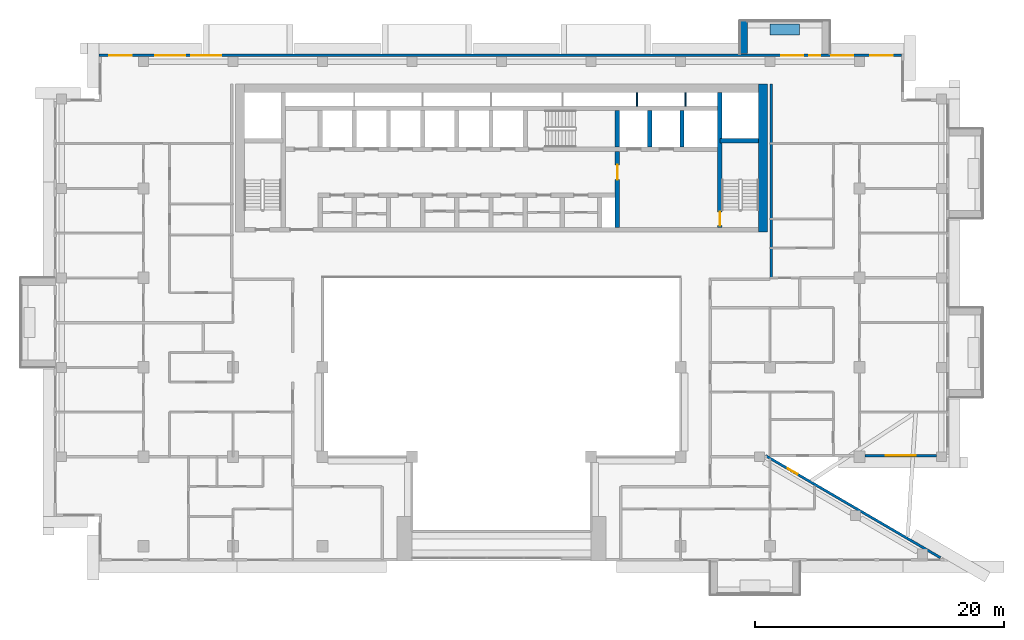
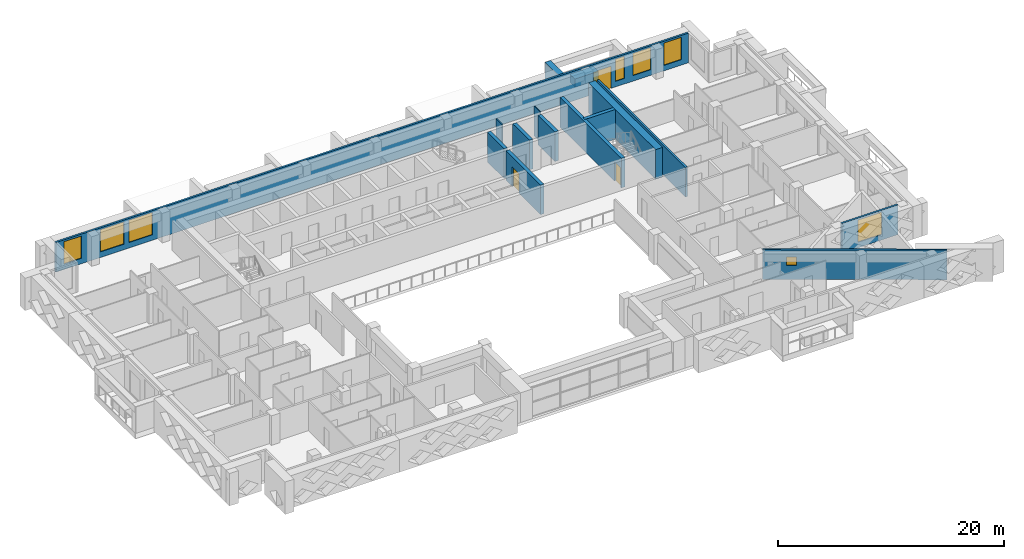
# One storey, part 11 of 20: 15 walls, 8 windows, 3 doors, 11 openings.
"""IFC4 building model written with IfcOpenShell, lengths in metres."""

from ifc_helpers import new_model, si_unit, direction, frame, frame_2d, origin, place, context, subcontext, project, spatial, rectangle, extrude, material, layer, layer_set, type_object, element, fill, save


model = new_model("IFC4")

# Units and contexts
model_context = context("Model", 3, precision=1e-05, world=origin(), true_north=direction((0.0, 1.0)))
body_context = subcontext(model_context, "Body", "Model", "MODEL_VIEW")
ifc_project = project(units=[si_unit("LENGTHUNIT", "METRE"), si_unit("AREAUNIT", "SQUARE_METRE"), si_unit("VOLUMEUNIT", "CUBIC_METRE"), si_unit("PLANEANGLEUNIT", "RADIAN"), si_unit("MASSUNIT", "GRAM", prefix="KILO")], contexts=[model_context])

# Site, building, storey
site_placement = place(None, origin())
site = spatial("IfcSite", under=ifc_project, at=site_placement, CompositionType="ELEMENT")
building_placement = place(site_placement, origin())
building = spatial("IfcBuilding", under=site, at=building_placement, Name="Saffron Iwan Residences", CompositionType="ELEMENT")
storey_placement = place(building_placement, frame((0.0, 0.0, 185.0)))
storey = spatial("IfcBuildingStorey", under=building, at=storey_placement, Name="L49", CompositionType="ELEMENT", Elevation=185.0)

# Walls
ifc_material_1 = material(Name="Concrete C50/60 white painted", Category="concrete")
ifc_layer_1 = layer(ifc_material_1, 0.60009765625)
ifc_layer_set_1 = layer_set([ifc_layer_1], Name="Concrete C50/60 white painted")
wall_type_1 = type_object("IfcWallType", Name="BALCONY FIN 600", PredefinedType="SOLIDWALL", material=ifc_layer_set_1)
wall_1_placement = place(storey_placement, frame((69.89990234375, 80.449951171875, 0.0), z_axis=(0.0, 0.0, 1.0), x_axis=(0.0, 1.0, 0.0)))
element("IfcWall", 1, at=wall_1_placement, inside=storey, type_object=wall_type_1, Name="Balcony fin L49 F5-0b", PredefinedType="SOLIDWALL", context=body_context, shape_type="SweptSolid", body=[
    extrude(rectangle(XDim=2.650146484375, YDim=0.60009765625, at=frame_2d((1.3251953125, 0.0))), origin(), (0.0, 0.0, 1.0), 2.85009765625),
])
ifc_material_2 = material(Name="Concrete C35/45 white painted", Category="concrete")
ifc_layer_2 = layer(ifc_material_2, 0.14990234375)
ifc_layer_set_2 = layer_set([ifc_layer_2], Name="Concrete C35/45 white painted")
wall_type_2 = type_object("IfcWallType", Name="BALCONY PLANTER", PredefinedType="SOLIDWALL", material=ifc_layer_set_2)
wall_2_placement = place(storey_placement, frame((74.39990234375, 82.375, 0.0), z_axis=(0.0, 0.0, 1.0), x_axis=(-1.0, 0.0, 0.0)))
element("IfcWall", 2, at=wall_2_placement, inside=storey, type_object=wall_type_2, Name="PLANTER L49 F5-0", PredefinedType="SOLIDWALL", context=body_context, shape_type="SweptSolid", body=[
    extrude(rectangle(XDim=2.39990234375, YDim=0.89990234375, at=frame_2d((1.199951171875, 0.0))), origin(), (0.0, 0.0, 1.0), 0.89990234375),
])

# Wall, opening, window
ifc_material_3 = material(Name="Concrete C40/50", Category="concrete")
ifc_layer_3 = layer(ifc_material_3, 0.199951171875)
ifc_layer_set_3 = layer_set([ifc_layer_3], Name="Concrete C40/50")
wall_type_3 = type_object("IfcWallType", Name="EXTERNAL WALL 200", PredefinedType="SOLIDWALL", material=ifc_layer_set_3)
wall_3_placement = place(storey_placement, frame((85.71923828125, 39.88134765625, 0.0), z_axis=(0.0, 0.0, 1.0), x_axis=(-0.86377618652, 0.503875678716, 0.0)))
wall_3 = element("IfcWall", 3, at=wall_3_placement, inside=storey, type_object=wall_type_3, Name="External wall L49 F0.0", PredefinedType="SOLIDWALL", context=body_context, shape_type="SweptSolid", body=[
    extrude(rectangle(XDim=16.31103515625, YDim=0.199951171875, at=frame_2d((8.155517578125, 0.0))), origin(), (0.0, 0.0, 1.0), 3.199951171875),
])
opening_1_placement = place(wall_3_placement, frame((13.32568359375, 0.0, 1.5)))
opening_1 = element("IfcOpeningElement", 4, at=opening_1_placement, cuts=wall_3, Name="Opening W6", PredefinedType="OPENING", context=body_context, shape_type="SweptSolid", body=[
    extrude(rectangle(XDim=0.89990234375, YDim=0.89990234375, at=frame_2d((0.449951171875, 0.449951171875))), frame((0.0, 0.10986328125, 0.0), z_axis=(0.0, -1.0, 0.0), x_axis=(1.0, 0.0, 0.0)), (0.0, 0.0, 1.0), 0.219970703125),
])
ifc_material_4 = material(Name="Clear glass, laminated double glazed", Category="glass")
window_type_1 = type_object("IfcWindowType", Name="WINDOW 900 x 900 BATH", PartitioningType="SINGLE_PANEL", PredefinedType="WINDOW", material=ifc_material_4)
window_1_placement = place(opening_1_placement, origin())
window_1 = element("IfcWindow", 5, at=window_1_placement, inside=storey, type_object=window_type_1, Name="Window L49 F0.0", OverallHeight=0.89990234375, OverallWidth=0.89990234375, PartitioningType="SINGLE_PANEL", PredefinedType="WINDOW", context=body_context, shape_type="SweptSolid", body=[
    extrude(rectangle(XDim=0.89990234375, YDim=0.89990234375, at=frame_2d((0.449951171875, 0.449951171875))), frame((0.0, 0.030029296875, 0.0), z_axis=(0.0, -1.0, 0.0), x_axis=(1.0, 0.0, 0.0)), (0.0, 0.0, 1.0), 0.06005859375),
])
fill(opening_1, window_1)

wall_4_placement = place(storey_placement, frame((79.64990234375, 48.10009765625, 0.0), z_axis=(0.0, 0.0, 1.0), x_axis=(1.0, 0.0, 0.0)))
wall_4 = element("IfcWall", 6, at=wall_4_placement, inside=storey, type_object=wall_type_3, Name="External wall L49 F1.1", PredefinedType="SOLIDWALL", context=body_context, shape_type="SweptSolid", body=[
    extrude(rectangle(XDim=5.75, YDim=0.199951171875, at=frame_2d((2.875, 0.0))), origin(), (0.0, 0.0, 1.0), 3.199951171875),
])
opening_2_placement = place(wall_4_placement, frame((1.675048828125, 0.0, 0.60009765625)))
opening_2 = element("IfcOpeningElement", 7, at=opening_2_placement, cuts=wall_4, Name="Opening W1", PredefinedType="OPENING", context=body_context, shape_type="SweptSolid", body=[
    extrude(rectangle(XDim=2.39990234375, YDim=2.39990234375, at=frame_2d((1.199951171875, 1.199951171875))), frame((0.0, 0.10986328125, 0.0), z_axis=(0.0, -1.0, 0.0), x_axis=(1.0, 0.0, 0.0)), (0.0, 0.0, 1.0), 0.219970703125),
])
window_type_2 = type_object("IfcWindowType", Name="WINDOW 2400 x 2400", PartitioningType="DOUBLE_PANEL_VERTICAL", PredefinedType="WINDOW", material=ifc_material_4)
window_2_placement = place(opening_2_placement, origin())
window_2 = element("IfcWindow", 8, at=window_2_placement, inside=storey, type_object=window_type_2, Name="Window L49 F1.0", OverallHeight=2.39990234375, OverallWidth=2.39990234375, PartitioningType="DOUBLE_PANEL_VERTICAL", PredefinedType="WINDOW", context=body_context, shape_type="SweptSolid", body=[
    extrude(rectangle(XDim=2.39990234375, YDim=2.39990234375, at=frame_2d((1.199951171875, 1.199951171875))), frame((0.0, 0.030029296875, 0.0), z_axis=(0.0, -1.0, 0.0), x_axis=(1.0, 0.0, 0.0)), (0.0, 0.0, 1.0), 0.06005859375),
])
fill(opening_2, window_2)

# Wall, openings, door, windows
wall_5_placement = place(storey_placement, frame((82.60009765625, 80.300048828125, 0.0), z_axis=(0.0, 0.0, 1.0), x_axis=(-1.0, 0.0, 0.0)))
wall_5 = element("IfcWall", 9, at=wall_5_placement, inside=storey, type_object=wall_type_3, Name="External wall L49 F5.0", PredefinedType="SOLIDWALL", context=body_context, shape_type="SweptSolid", body=[
    extrude(rectangle(XDim=64.60009765625, YDim=0.199951171875, at=frame_2d((32.300048828125, 0.0))), origin(), (0.0, 0.0, 1.0), 3.199951171875),
])
opening_3_placement = place(wall_5_placement, frame((7.89990234375, 0.0, 0.0)))
opening_3 = element("IfcOpeningElement", 10, at=opening_3_placement, cuts=wall_5, Name="Opening BD1", PredefinedType="OPENING", context=body_context, shape_type="SweptSolid", body=[
    extrude(rectangle(XDim=1.800048828125, YDim=2.39990234375, at=frame_2d((0.89990234375, 1.199951171875))), frame((0.0, 0.10986328125, 0.0), z_axis=(0.0, -1.0, 0.0), x_axis=(1.0, 0.0, 0.0)), (0.0, 0.0, 1.0), 0.219970703125),
])
opening_4_placement = place(wall_5_placement, frame((54.75, 0.0, 0.60009765625)))
opening_4 = element("IfcOpeningElement", 11, at=opening_4_placement, cuts=wall_5, Name="Opening W1", PredefinedType="OPENING", context=body_context, shape_type="SweptSolid", body=[
    extrude(rectangle(XDim=2.39990234375, YDim=2.39990234375, at=frame_2d((1.199951171875, 1.199951171875))), frame((0.0, 0.10986328125, 0.0), z_axis=(0.0, -1.0, 0.0), x_axis=(1.0, 0.0, 0.0)), (0.0, 0.0, 1.0), 0.219970703125),
])
opening_5_placement = place(wall_5_placement, frame((57.64990234375, 0.0, 0.60009765625)))
opening_5 = element("IfcOpeningElement", 12, at=opening_5_placement, cuts=wall_5, Name="Opening W1", PredefinedType="OPENING", context=body_context, shape_type="SweptSolid", body=[
    extrude(rectangle(XDim=2.39990234375, YDim=2.39990234375, at=frame_2d((1.199951171875, 1.199951171875))), frame((0.0, 0.10986328125, 0.0), z_axis=(0.0, -1.0, 0.0), x_axis=(1.0, 0.0, 0.0)), (0.0, 0.0, 1.0), 0.219970703125),
])
opening_6_placement = place(wall_5_placement, frame((61.97509765625, 0.0, 0.60009765625)))
opening_6 = element("IfcOpeningElement", 13, at=opening_6_placement, cuts=wall_5, Name="Opening W8", PredefinedType="OPENING", context=body_context, shape_type="SweptSolid", body=[
    extrude(rectangle(XDim=1.800048828125, YDim=2.39990234375, at=frame_2d((0.89990234375, 1.199951171875))), frame((0.0, 0.10986328125, 0.0), z_axis=(0.0, -1.0, 0.0), x_axis=(1.0, 0.0, 0.0)), (0.0, 0.0, 1.0), 0.219970703125),
])
opening_7_placement = place(wall_5_placement, frame((0.72509765625, 0.0, 0.60009765625)))
opening_7 = element("IfcOpeningElement", 14, at=opening_7_placement, cuts=wall_5, Name="Opening W8", PredefinedType="OPENING", context=body_context, shape_type="SweptSolid", body=[
    extrude(rectangle(XDim=1.800048828125, YDim=2.39990234375, at=frame_2d((0.89990234375, 1.199951171875))), frame((0.0, 0.10986328125, 0.0), z_axis=(0.0, -1.0, 0.0), x_axis=(1.0, 0.0, 0.0)), (0.0, 0.0, 1.0), 0.219970703125),
])
opening_8_placement = place(wall_5_placement, frame((3.875, 0.0, 0.60009765625)))
opening_8 = element("IfcOpeningElement", 15, at=opening_8_placement, cuts=wall_5, Name="Opening W8", PredefinedType="OPENING", context=body_context, shape_type="SweptSolid", body=[
    extrude(rectangle(XDim=1.800048828125, YDim=2.39990234375, at=frame_2d((0.89990234375, 1.199951171875))), frame((0.0, 0.10986328125, 0.0), z_axis=(0.0, -1.0, 0.0), x_axis=(1.0, 0.0, 0.0)), (0.0, 0.0, 1.0), 0.219970703125),
])
opening_9_placement = place(wall_5_placement, frame((6.550048828125, 0.0, 0.60009765625)))
opening_9 = element("IfcOpeningElement", 16, at=opening_9_placement, cuts=wall_5, Name="Opening W10", PredefinedType="OPENING", context=body_context, shape_type="SweptSolid", body=[
    extrude(rectangle(XDim=0.89990234375, YDim=2.39990234375, at=frame_2d((0.449951171875, 1.199951171875))), frame((0.0, 0.10986328125, 0.0), z_axis=(0.0, -1.0, 0.0), x_axis=(1.0, 0.0, 0.0)), (0.0, 0.0, 1.0), 0.219970703125),
])
door_type_1 = type_object("IfcDoorType", Name="BALCONY DOOR 1800 x 2400", OperationType="DOUBLE_DOOR_SLIDING", PredefinedType="DOOR", material=ifc_material_4)
door_1_placement = place(opening_3_placement, origin())
door_1 = element("IfcDoor", 17, at=door_1_placement, inside=storey, type_object=door_type_1, Name="Balcony door L49 F5.0", OperationType="DOUBLE_DOOR_SLIDING", OverallHeight=2.39990234375, OverallWidth=1.800048828125, PredefinedType="DOOR", context=body_context, shape_type="SweptSolid", body=[
    extrude(rectangle(XDim=1.800048828125, YDim=2.39990234375, at=frame_2d((0.89990234375, 1.199951171875))), frame((0.0, 0.02490234375, 0.0), z_axis=(0.0, -1.0, 0.0), x_axis=(1.0, 0.0, 0.0)), (0.0, 0.0, 1.0), 0.050048828125),
])
fill(opening_3, door_1)
window_type_3 = type_object("IfcWindowType", Name="WINDOW 1800 x 2400", PartitioningType="DOUBLE_PANEL_VERTICAL", PredefinedType="WINDOW", material=ifc_material_4)
window_3_placement = place(opening_6_placement, origin())
window_3 = element("IfcWindow", 18, at=window_3_placement, inside=storey, type_object=window_type_3, Name="Window L49 F5.3", OverallHeight=2.39990234375, OverallWidth=1.800048828125, PartitioningType="DOUBLE_PANEL_VERTICAL", PredefinedType="WINDOW", context=body_context, shape_type="SweptSolid", body=[
    extrude(rectangle(XDim=1.800048828125, YDim=2.39990234375, at=frame_2d((0.89990234375, 1.199951171875))), frame((0.0, 0.030029296875, 0.0), z_axis=(0.0, -1.0, 0.0), x_axis=(1.0, 0.0, 0.0)), (0.0, 0.0, 1.0), 0.06005859375),
])
fill(opening_6, window_3)
window_4_placement = place(opening_7_placement, origin())
window_4 = element("IfcWindow", 19, at=window_4_placement, inside=storey, type_object=window_type_3, Name="Window L49 F5.4", OverallHeight=2.39990234375, OverallWidth=1.800048828125, PartitioningType="DOUBLE_PANEL_VERTICAL", PredefinedType="WINDOW", context=body_context, shape_type="SweptSolid", body=[
    extrude(rectangle(XDim=1.800048828125, YDim=2.39990234375, at=frame_2d((0.89990234375, 1.199951171875))), frame((0.0, 0.030029296875, 0.0), z_axis=(0.0, -1.0, 0.0), x_axis=(1.0, 0.0, 0.0)), (0.0, 0.0, 1.0), 0.06005859375),
])
fill(opening_7, window_4)
window_5_placement = place(opening_8_placement, origin())
window_5 = element("IfcWindow", 20, at=window_5_placement, inside=storey, type_object=window_type_3, Name="Window L49 F5.5", OverallHeight=2.39990234375, OverallWidth=1.800048828125, PartitioningType="DOUBLE_PANEL_VERTICAL", PredefinedType="WINDOW", context=body_context, shape_type="SweptSolid", body=[
    extrude(rectangle(XDim=1.800048828125, YDim=2.39990234375, at=frame_2d((0.89990234375, 1.199951171875))), frame((0.0, 0.030029296875, 0.0), z_axis=(0.0, -1.0, 0.0), x_axis=(1.0, 0.0, 0.0)), (0.0, 0.0, 1.0), 0.06005859375),
])
fill(opening_8, window_5)
window_6_placement = place(opening_4_placement, origin())
window_6 = element("IfcWindow", 21, at=window_6_placement, inside=storey, type_object=window_type_2, Name="Window L49 F5.1", OverallHeight=2.39990234375, OverallWidth=2.39990234375, PartitioningType="DOUBLE_PANEL_VERTICAL", PredefinedType="WINDOW", context=body_context, shape_type="SweptSolid", body=[
    extrude(rectangle(XDim=2.39990234375, YDim=2.39990234375, at=frame_2d((1.199951171875, 1.199951171875))), frame((0.0, 0.030029296875, 0.0), z_axis=(0.0, -1.0, 0.0), x_axis=(1.0, 0.0, 0.0)), (0.0, 0.0, 1.0), 0.06005859375),
])
fill(opening_4, window_6)
window_7_placement = place(opening_5_placement, origin())
window_7 = element("IfcWindow", 22, at=window_7_placement, inside=storey, type_object=window_type_2, Name="Window L49 F5.2", OverallHeight=2.39990234375, OverallWidth=2.39990234375, PartitioningType="DOUBLE_PANEL_VERTICAL", PredefinedType="WINDOW", context=body_context, shape_type="SweptSolid", body=[
    extrude(rectangle(XDim=2.39990234375, YDim=2.39990234375, at=frame_2d((1.199951171875, 1.199951171875))), frame((0.0, 0.030029296875, 0.0), z_axis=(0.0, -1.0, 0.0), x_axis=(1.0, 0.0, 0.0)), (0.0, 0.0, 1.0), 0.06005859375),
])
fill(opening_5, window_7)
window_type_4 = type_object("IfcWindowType", Name="WINDOW 900 x 2400", PartitioningType="SINGLE_PANEL", PredefinedType="WINDOW", material=ifc_material_4)
window_8_placement = place(opening_9_placement, origin())
window_8 = element("IfcWindow", 23, at=window_8_placement, inside=storey, type_object=window_type_4, Name="Window L49 F5.6", OverallHeight=2.39990234375, OverallWidth=0.89990234375, PartitioningType="SINGLE_PANEL", PredefinedType="WINDOW", context=body_context, shape_type="SweptSolid", body=[
    extrude(rectangle(XDim=0.89990234375, YDim=2.39990234375, at=frame_2d((0.449951171875, 1.199951171875))), frame((0.0, 0.030029296875, 0.0), z_axis=(0.0, -1.0, 0.0), x_axis=(1.0, 0.0, 0.0)), (0.0, 0.0, 1.0), 0.06005859375),
])
fill(opening_9, window_8)

# Walls
ifc_material_5 = material(Name="Fire-rated gypsum board wall")
ifc_layer_4 = layer(ifc_material_5, 0.199951171875)
ifc_layer_set_4 = layer_set([ifc_layer_4], Name="Fire-rated gypsum board wall")
wall_type_4 = type_object("IfcWallType", Name="Gallery wall 200", PredefinedType="SOLIDWALL", material=ifc_layer_set_4)
wall_6_placement = place(storey_placement, frame((72.10009765625, 62.39990234375, 0.0), z_axis=(0.0, 0.0, 1.0), x_axis=(0.0, 1.0, 0.0)))
element("IfcWall", 24, at=wall_6_placement, inside=storey, type_object=wall_type_4, Name="W-L49-CORR-v72-62.4", PredefinedType="SOLIDWALL", context=body_context, shape_type="SweptSolid", body=[
    extrude(rectangle(XDim=15.60009765625, YDim=0.199951171875, at=frame_2d((7.800048828125, 0.0))), origin(), (0.0, 0.0, 1.0), 3.199951171875),
])
ifc_material_6 = material(Name="Fire-rated plasterboard partition")
ifc_layer_5 = layer(ifc_material_6, 0.10009765625)
ifc_layer_set_5 = layer_set([ifc_layer_5], Name="Fire-rated plasterboard partition")
wall_type_5 = type_object("IfcWallType", Name="Riser partition 100", PredefinedType="PARTITIONING", material=ifc_layer_set_5)
for number, where, z_axis, x_axis, name in (
    (25, (61.300048828125, 76.22509765625, 0.0), (0.0, 0.0, 1.0), (0.0, 1.0, 0.0), "Core partition P12"),
    (26, (65.199951171875, 76.22509765625, 0.0), (0.0, 0.0, 1.0), (0.0, 1.0, 0.0), "Core partition P13"),
):
    element("IfcWall", number, at=place(storey_placement, frame(where, z_axis=z_axis, x_axis=x_axis)), inside=storey, type_object=wall_type_5, Name=name, PredefinedType="PARTITIONING", context=body_context, shape_type="SweptSolid", body=[
        extrude(rectangle(XDim=1.074951171875, YDim=0.10009765625, at=frame_2d((0.53759765625, 0.0))), origin(), (0.0, 0.0, 1.0), 3.199951171875),
    ])
ifc_material_7 = material(Name="Concrete C50/60", Category="concrete")
ifc_layer_6 = layer(ifc_material_7, 0.35009765625)
ifc_layer_set_6 = layer_set([ifc_layer_6], Name="Concrete C50/60")
wall_type_6 = type_object("IfcWallType", Name="WALL CORE 350 C50/60 3200 HIGH", PredefinedType="SHEAR", material=ifc_layer_set_6)
wall_7_placement = place(storey_placement, frame((67.97509765625, 73.425048828125, 0.0), z_axis=(0.0, 0.0, 1.0), x_axis=(1.0, 0.0, 0.0)))
element("IfcWall", 27, at=wall_7_placement, inside=storey, type_object=wall_type_6, Name="Core wall", PredefinedType="SHEAR", context=body_context, shape_type="SweptSolid", body=[
    extrude(rectangle(XDim=3.125, YDim=0.35009765625, at=frame_2d((1.5625, 0.0))), origin(), (0.0, 0.0, 1.0), 3.199951171875),
])

# Wall, opening, door
wall_8_placement = place(storey_placement, frame((67.97509765625, 66.449951171875, 0.0), z_axis=(0.0, 0.0, 1.0), x_axis=(0.0, 1.0, 0.0)))
wall_8 = element("IfcWall", 28, at=wall_8_placement, inside=storey, type_object=wall_type_6, Name="Core wall", PredefinedType="SHEAR", context=body_context, shape_type="SweptSolid", body=[
    extrude(rectangle(XDim=10.85009765625, YDim=0.35009765625, at=frame_2d((5.425048828125, 0.0))), origin(), (0.0, 0.0, 1.0), 3.199951171875),
])
opening_10_placement = place(wall_8_placement, frame((0.14990234375, 0.0, 0.0)))
opening_10 = element("IfcOpeningElement", 29, at=opening_10_placement, cuts=wall_8, Name="Opening SD", PredefinedType="OPENING", context=body_context, shape_type="SweptSolid", body=[
    extrude(rectangle(XDim=1.10009765625, YDim=2.10009765625, at=frame_2d((0.550048828125, 1.050048828125))), frame((0.0, 0.18505859375, 0.0), z_axis=(0.0, -1.0, 0.0), x_axis=(1.0, 0.0, 0.0)), (0.0, 0.0, 1.0), 0.3701171875),
])
ifc_material_8 = material(Name="Steel fire door", Category="steel")
door_type_2 = type_object("IfcDoorType", Name="Stair door 1100", OperationType="NOTDEFINED", PredefinedType="DOOR", material=ifc_material_8)
door_2_placement = place(opening_10_placement, origin())
door_2 = element("IfcDoor", 30, at=door_2_placement, inside=storey, type_object=door_type_2, Name="Stair door ST-E", OperationType="SINGLE_SWING_LEFT", OverallHeight=2.10009765625, OverallWidth=1.10009765625, PredefinedType="DOOR", context=body_context, shape_type="SweptSolid", body=[
    extrude(rectangle(XDim=1.10009765625, YDim=2.10009765625, at=frame_2d((0.550048828125, 1.050048828125))), frame((0.0, 0.02490234375, 0.0), z_axis=(0.0, -1.0, 0.0), x_axis=(1.0, 0.0, 0.0)), (0.0, 0.0, 1.0), 0.050048828125),
])
fill(opening_10, door_2)

wall_9_placement = place(storey_placement, frame((59.72509765625, 66.449951171875, 0.0), z_axis=(0.0, 0.0, 1.0), x_axis=(0.0, 1.0, 0.0)))
wall_9 = element("IfcWall", 31, at=wall_9_placement, inside=storey, type_object=wall_type_6, Name="Core wall", PredefinedType="SHEAR", context=body_context, shape_type="SweptSolid", body=[
    extrude(rectangle(XDim=6.125, YDim=0.35009765625, at=frame_2d((3.0625, 0.0))), origin(), (0.0, 0.0, 1.0), 3.199951171875),
])
opening_11_placement = place(wall_9_placement, frame((3.85009765625, 0.0, 0.0)))
opening_11 = element("IfcOpeningElement", 32, at=opening_11_placement, cuts=wall_9, Name="Opening FD", PredefinedType="OPENING", context=body_context, shape_type="SweptSolid", body=[
    extrude(rectangle(XDim=1.199951171875, YDim=2.10009765625, at=frame_2d((0.60009765625, 1.050048828125))), frame((0.0, 0.18505859375, 0.0), z_axis=(0.0, -1.0, 0.0), x_axis=(1.0, 0.0, 0.0)), (0.0, 0.0, 1.0), 0.3701171875),
])
door_type_3 = type_object("IfcDoorType", Name="Firefighting lobby door 1200", OperationType="NOTDEFINED", PredefinedType="DOOR", material=ifc_material_8)
door_3_placement = place(opening_11_placement, origin())
door_3 = element("IfcDoor", 33, at=door_3_placement, inside=storey, type_object=door_type_3, Name="Firefighting lobby door", OperationType="SINGLE_SWING_LEFT", OverallHeight=2.10009765625, OverallWidth=1.199951171875, PredefinedType="DOOR", context=body_context, shape_type="SweptSolid", body=[
    extrude(rectangle(XDim=1.199951171875, YDim=2.10009765625, at=frame_2d((0.60009765625, 1.050048828125))), frame((0.0, 0.02490234375, 0.0), z_axis=(0.0, -1.0, 0.0), x_axis=(1.0, 0.0, 0.0)), (0.0, 0.0, 1.0), 0.050048828125),
])
fill(opening_11, door_3)

# Walls
for number, where, z_axis, x_axis, name in (
    (34, (59.72509765625, 72.925048828125, 0.0), (0.0, 0.0, 1.0), (0.0, 1.0, 0.0), "Core wall"),
    (35, (62.324951171875, 72.925048828125, 0.0), (0.0, 0.0, 1.0), (0.0, 1.0, 0.0), "Core wall"),
    (36, (64.925048828125, 72.925048828125, 0.0), (0.0, 0.0, 1.0), (0.0, 1.0, 0.0), "Core wall"),
):
    element("IfcWall", number, at=place(storey_placement, frame(where, z_axis=z_axis, x_axis=x_axis)), inside=storey, type_object=wall_type_6, Name=name, PredefinedType="SHEAR", context=body_context, shape_type="SweptSolid", body=[
        extrude(rectangle(XDim=2.949951171875, YDim=0.35009765625, at=frame_2d((1.47509765625, 0.0))), origin(), (0.0, 0.0, 1.0), 3.199951171875),
    ])
ifc_layer_7 = layer(ifc_material_7, 0.699951171875)
ifc_layer_set_7 = layer_set([ifc_layer_7], Name="Concrete C50/60")
wall_type_7 = type_object("IfcWallType", Name="WALL CORE 700 C50/60 3200 HIGH", PredefinedType="SHEAR", material=ifc_layer_set_7)
wall_10_placement = place(storey_placement, frame((71.449951171875, 66.10009765625, 0.0), z_axis=(0.0, 0.0, 1.0), x_axis=(0.0, 1.0, 0.0)))
element("IfcWall", 37, at=wall_10_placement, inside=storey, type_object=wall_type_7, Name="Core wall", PredefinedType="SHEAR", context=body_context, shape_type="SweptSolid", body=[
    extrude(rectangle(XDim=11.89990234375, YDim=0.699951171875, at=frame_2d((5.949951171875, 0.0))), origin(), (0.0, 0.0, 1.0), 3.199951171875),
])

save(model, "model.ifc")
